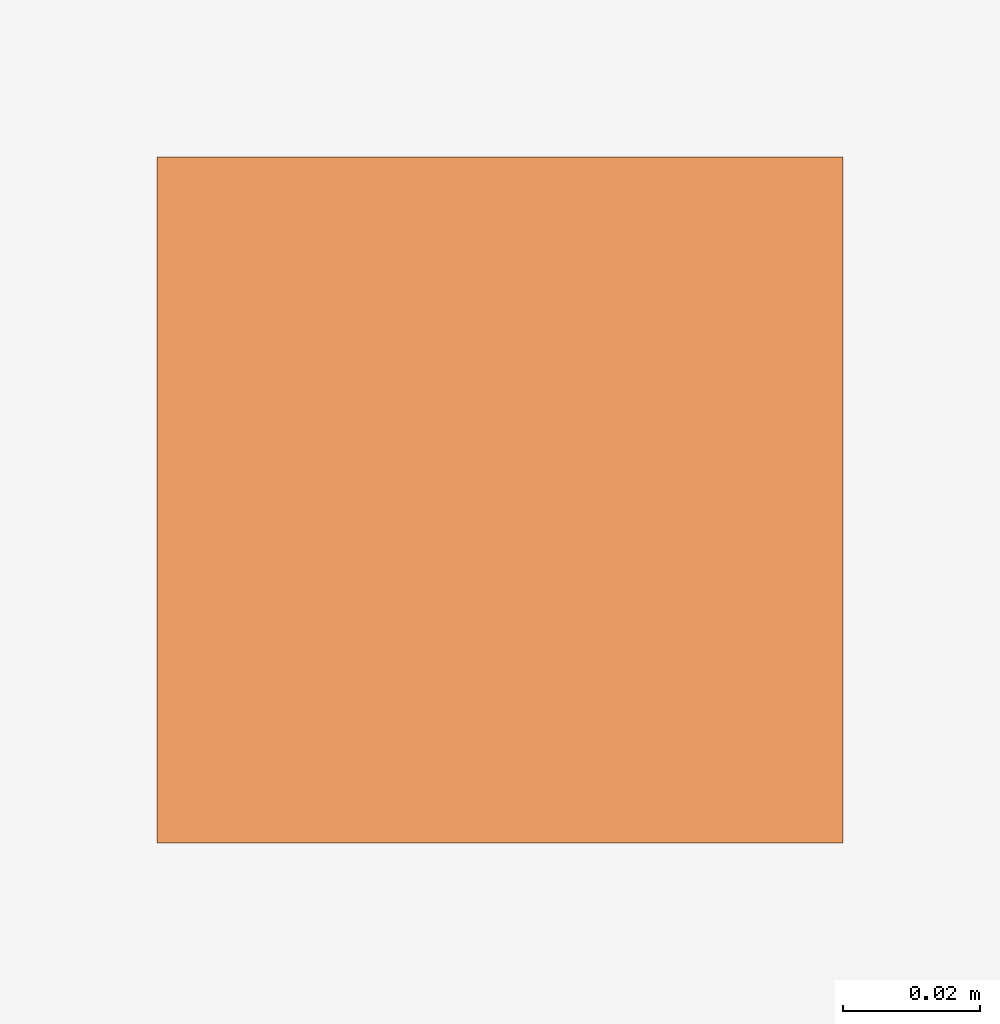
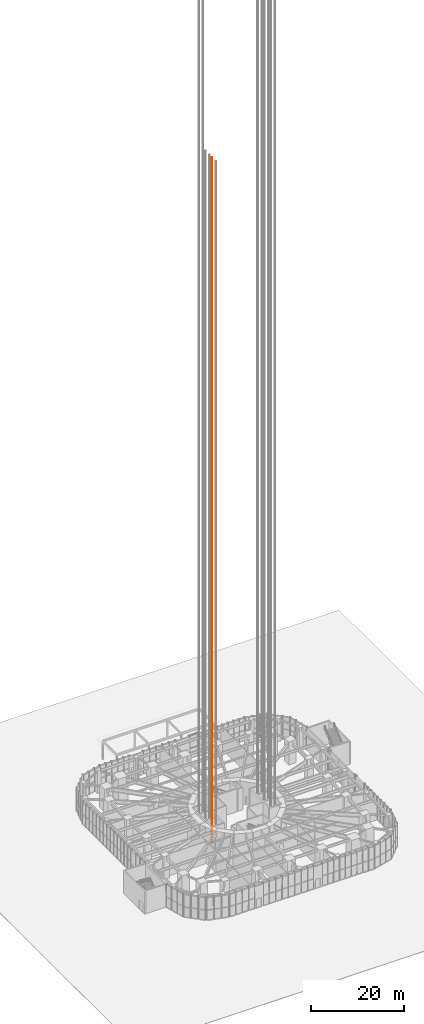
# One storey, part 33 of 43: 1 proxy.
"""IFC4 building model written with IfcOpenShell, lengths in metres."""

from ifc_helpers import new_model, si_unit, direction, frame, origin, origin_2d, place, context, subcontext, project, spatial, rectangle, extrude, material, type_object, element, save


model = new_model("IFC4")

# Units and contexts
model_context = context("Model", 3, precision=1e-05, world=origin(), true_north=direction((0.0, 1.0)))
body_context = subcontext(model_context, "Body", "Model", "MODEL_VIEW")
ifc_project = project(units=[si_unit("LENGTHUNIT", "METRE"), si_unit("AREAUNIT", "SQUARE_METRE"), si_unit("VOLUMEUNIT", "CUBIC_METRE"), si_unit("PLANEANGLEUNIT", "RADIAN"), si_unit("MASSUNIT", "GRAM", prefix="KILO")], contexts=[model_context])

# Site, building, storey
site_placement = place(None, origin())
site = spatial("IfcSite", under=ifc_project, at=site_placement, CompositionType="ELEMENT")
building_placement = place(site_placement, origin())
building = spatial("IfcBuilding", under=site, at=building_placement, Name="Nakasero Lantern House", CompositionType="ELEMENT")
storey_placement = place(building_placement, origin())
storey = spatial("IfcBuildingStorey", under=building, at=storey_placement, Name="L00", CompositionType="ELEMENT", Elevation=0.0)

# Proxy
ifc_material = material(Name="Steel S355", Category="steel")
building_element_proxy_type = type_object("IfcBuildingElementProxyType", Name="Lift guide rail", PredefinedType="ELEMENT", material=ifc_material)
proxy_placement = place(storey_placement, frame((-7.300048828125, -1.89990234375, 0.0), z_axis=(0.0, 0.0, 1.0), x_axis=(1.0, 0.0, 0.0)))
element("IfcBuildingElementProxy", 1, at=proxy_placement, inside=storey, type_object=building_element_proxy_type, Name="Guide rail PLW1 2", PredefinedType="ELEMENT", context=body_context, shape_type="SweptSolid", body=[
    extrude(rectangle(XDim=0.10009765625, YDim=0.10009765625, at=origin_2d()), origin(), (0.0, 0.0, 1.0), 180.050048828125),
])

save(model, "model.ifc")
